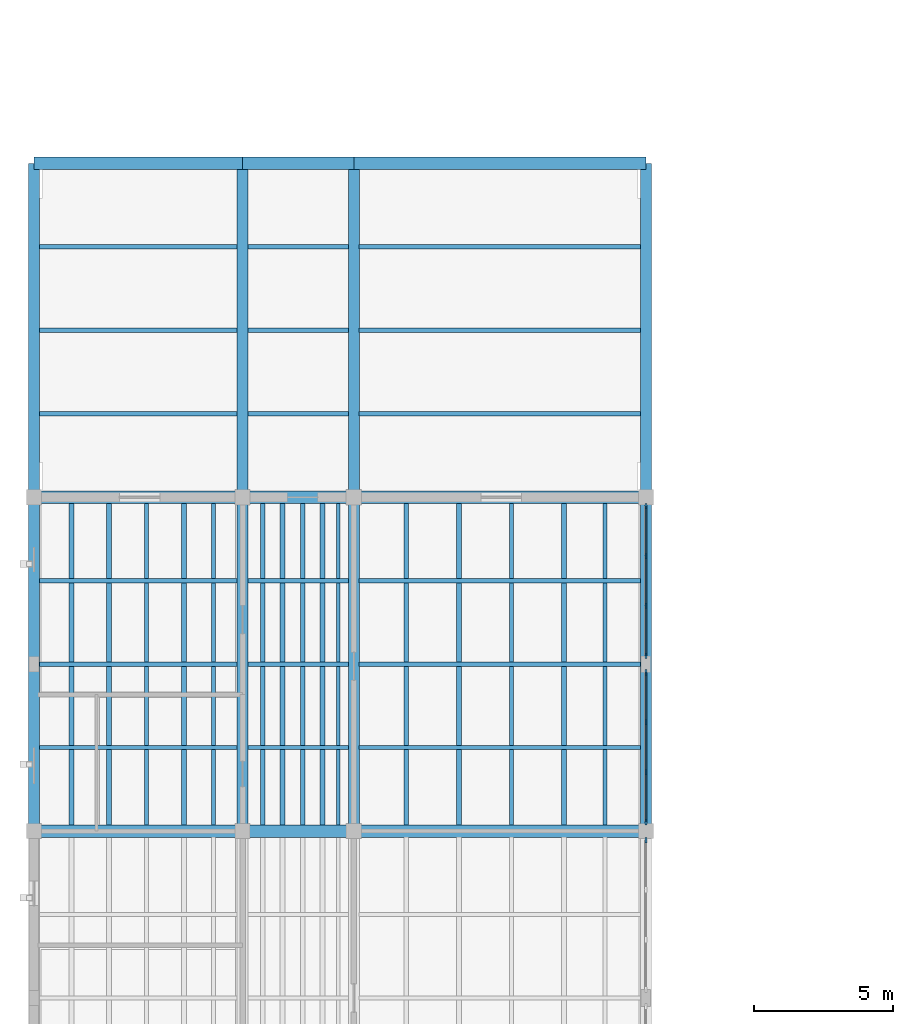
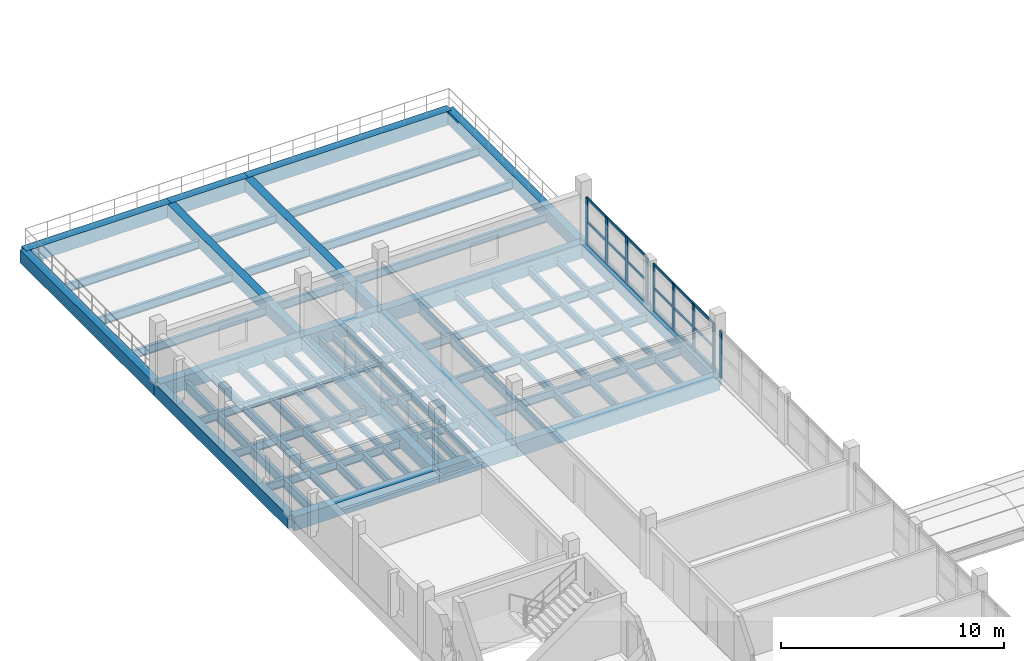
# One storey, part 6 of 48: 50 beams, 15 members, 3 elements without a shape of their own.
"""IFC4 building model written with IfcOpenShell, lengths in metres."""

from ifc_helpers import new_model, si_unit, direction, frame, origin, origin_2d, place, context, subcontext, project, spatial, rectangle, i_section, extrude, material, layer, layer_set, material_profile, profile_set, type_object, element, aggregate, save


model = new_model("IFC4")

# Units and contexts
model_context = context("Model", 3, precision=1e-05, world=origin(), true_north=direction((0.0, 1.0)))
body_context = subcontext(model_context, "Body", "Model", "MODEL_VIEW")
ifc_project = project(units=[si_unit("LENGTHUNIT", "METRE"), si_unit("AREAUNIT", "SQUARE_METRE"), si_unit("VOLUMEUNIT", "CUBIC_METRE"), si_unit("PLANEANGLEUNIT", "RADIAN"), si_unit("MASSUNIT", "GRAM", prefix="KILO")], contexts=[model_context])

# Site, building, storey
site_placement = place(None, origin())
site = spatial("IfcSite", under=ifc_project, at=site_placement, CompositionType="ELEMENT")
building_placement = place(site_placement, origin())
building = spatial("IfcBuilding", under=site, at=building_placement, Name="Trellovar Central Fire Station", CompositionType="ELEMENT")
storey_placement = place(building_placement, frame((0.0, 0.0, 9.300048828125)))
storey = spatial("IfcBuildingStorey", under=building, at=storey_placement, Name="L03", CompositionType="ELEMENT", Elevation=9.300048828125)

# Beams
ifc_material_1 = material(Name="Concrete C40/50", Category="concrete")
ifc_material_profile_1 = material_profile(ifc_material_1, rectangle(XDim=0.449951171875, YDim=0.75, at=origin_2d()), Name="RC450X750")
ifc_profile_set_1 = profile_set([ifc_material_profile_1], Name="Concrete C40/50")
beam_type_1 = type_object("IfcBeamType", Name="BM-G2", PredefinedType="BEAM", material=ifc_profile_set_1)
beam_1_placement = place(storey_placement, frame((1.0, 41.0, -0.375), z_axis=(1.0, 0.0, 0.0), x_axis=(0.0, 1.0, 0.0)))
element("IfcBeam", 1, at=beam_1_placement, inside=storey, type_object=beam_type_1, Name="L03 beam G-2", PredefinedType="BEAM", context=body_context, shape_type="SweptSolid", body=[
    extrude(rectangle(XDim=0.449951171875, YDim=0.75, at=origin_2d()), origin(), (0.0, 0.0, 1.0), 7.5),
])
beam_2_placement = place(storey_placement, frame((8.5, 41.0, -0.375), z_axis=(1.0, 0.0, 0.0), x_axis=(0.0, 1.0, 0.0)))
element("IfcBeam", 2, at=beam_2_placement, inside=storey, type_object=beam_type_1, Name="L03 beam G-2", PredefinedType="BEAM", context=body_context, shape_type="SweptSolid", body=[
    extrude(rectangle(XDim=0.449951171875, YDim=0.75, at=origin_2d()), origin(), (0.0, 0.0, 1.0), 4.0),
])
beam_3_placement = place(storey_placement, frame((12.5, 41.0, -0.375), z_axis=(1.0, 0.0, 0.0), x_axis=(0.0, 1.0, 0.0)))
element("IfcBeam", 3, at=beam_3_placement, inside=storey, type_object=beam_type_1, Name="L03 beam G-2", PredefinedType="BEAM", context=body_context, shape_type="SweptSolid", body=[
    extrude(rectangle(XDim=0.449951171875, YDim=0.75, at=origin_2d()), origin(), (0.0, 0.0, 1.0), 10.5),
])
beam_4_placement = place(storey_placement, frame((1.0, 53.0, -0.375), z_axis=(1.0, 0.0, 0.0), x_axis=(0.0, 1.0, 0.0)))
element("IfcBeam", 4, at=beam_4_placement, inside=storey, type_object=beam_type_1, Name="L03 beam G-2", PredefinedType="BEAM", context=body_context, shape_type="SweptSolid", body=[
    extrude(rectangle(XDim=0.449951171875, YDim=0.75, at=origin_2d()), origin(), (0.0, 0.0, 1.0), 7.5),
])
beam_5_placement = place(storey_placement, frame((8.5, 53.0, -0.375), z_axis=(1.0, 0.0, 0.0), x_axis=(0.0, 1.0, 0.0)))
element("IfcBeam", 5, at=beam_5_placement, inside=storey, type_object=beam_type_1, Name="L03 beam G-2", PredefinedType="BEAM", context=body_context, shape_type="SweptSolid", body=[
    extrude(rectangle(XDim=0.449951171875, YDim=0.75, at=origin_2d()), origin(), (0.0, 0.0, 1.0), 4.0),
])
beam_6_placement = place(storey_placement, frame((12.5, 53.0, -0.375), z_axis=(1.0, 0.0, 0.0), x_axis=(0.0, 1.0, 0.0)))
element("IfcBeam", 6, at=beam_6_placement, inside=storey, type_object=beam_type_1, Name="L03 beam G-2", PredefinedType="BEAM", context=body_context, shape_type="SweptSolid", body=[
    extrude(rectangle(XDim=0.449951171875, YDim=0.75, at=origin_2d()), origin(), (0.0, 0.0, 1.0), 10.5),
])
beam_7_placement = place(storey_placement, frame((1.0, 65.0, -0.375), z_axis=(1.0, 0.0, 0.0), x_axis=(0.0, 1.0, 0.0)))
element("IfcBeam", 7, at=beam_7_placement, inside=storey, type_object=beam_type_1, Name="L03 beam G-2", PredefinedType="BEAM", context=body_context, shape_type="SweptSolid", body=[
    extrude(rectangle(XDim=0.449951171875, YDim=0.75, at=origin_2d()), origin(), (0.0, 0.0, 1.0), 7.5),
])
beam_8_placement = place(storey_placement, frame((8.5, 65.0, -0.375), z_axis=(1.0, 0.0, 0.0), x_axis=(0.0, 1.0, 0.0)))
element("IfcBeam", 8, at=beam_8_placement, inside=storey, type_object=beam_type_1, Name="L03 beam G-2", PredefinedType="BEAM", context=body_context, shape_type="SweptSolid", body=[
    extrude(rectangle(XDim=0.449951171875, YDim=0.75, at=origin_2d()), origin(), (0.0, 0.0, 1.0), 4.0),
])
beam_9_placement = place(storey_placement, frame((12.5, 65.0, -0.375), z_axis=(1.0, 0.0, 0.0), x_axis=(0.0, 1.0, 0.0)))
element("IfcBeam", 9, at=beam_9_placement, inside=storey, type_object=beam_type_1, Name="L03 beam G-2", PredefinedType="BEAM", context=body_context, shape_type="SweptSolid", body=[
    extrude(rectangle(XDim=0.449951171875, YDim=0.75, at=origin_2d()), origin(), (0.0, 0.0, 1.0), 10.5),
])
ifc_material_2 = material(Name="Concrete C40/50", Category="concrete")
ifc_material_profile_2 = material_profile(ifc_material_2, rectangle(XDim=0.39990234375, YDim=0.699951171875, at=origin_2d()), Name="RC400X700")
ifc_profile_set_2 = profile_set([ifc_material_profile_2], Name="Concrete C40/50")
beam_type_2 = type_object("IfcBeamType", Name="BM-G3", PredefinedType="BEAM", material=ifc_profile_set_2)
for number, where, z_axis, x_axis, name in (
    (10, (1.0, 41.0, -0.35009765625), (0.0, 1.0, 0.0), (-1.0, 0.0, 0.0), "L03 beam G-3"),
    (11, (1.0, 53.0, -0.35009765625), (0.0, 1.0, 0.0), (-1.0, 0.0, 0.0), "L03 beam G-3"),
    (12, (8.5, 41.0, -0.35009765625), (0.0, 1.0, 0.0), (-1.0, 0.0, 0.0), "L03 beam G-3"),
    (13, (8.5, 53.0, -0.35009765625), (0.0, 1.0, 0.0), (-1.0, 0.0, 0.0), "L03 beam G-3"),
    (14, (12.5, 41.0, -0.35009765625), (0.0, 1.0, 0.0), (-1.0, 0.0, 0.0), "L03 beam G-3"),
    (15, (12.5, 53.0, -0.35009765625), (0.0, 1.0, 0.0), (-1.0, 0.0, 0.0), "L03 beam G-3"),
    (16, (23.0, 41.0, -0.35009765625), (0.0, 1.0, 0.0), (-1.0, 0.0, 0.0), "L03 beam G-3"),
    (17, (23.0, 53.0, -0.35009765625), (0.0, 1.0, 0.0), (-1.0, 0.0, 0.0), "L03 beam G-3"),
):
    element("IfcBeam", number, at=place(storey_placement, frame(where, z_axis=z_axis, x_axis=x_axis)), inside=storey, type_object=beam_type_2, Name=name, PredefinedType="BEAM", context=body_context, shape_type="SweptSolid", body=[
        extrude(rectangle(XDim=0.39990234375, YDim=0.699951171875, at=origin_2d()), origin(), (0.0, 0.0, 1.0), 12.0),
    ])
ifc_material_3 = material(Name="Steel ASTM A992 Grade 50", Category="steel")
ifc_material_profile_3 = material_profile(ifc_material_3, i_section(OverallWidth=0.15283203125, OverallDepth=0.45458984375, WebThickness=0.008056640625, FlangeThickness=0.01318359375, FilletRadius=0.0126953125, at=origin_2d()), Name="W18X40")
ifc_profile_set_3 = profile_set([ifc_material_profile_3], Name="Steel ASTM A992 Grade 50")
beam_type_3 = type_object("IfcBeamType", Name="BM-SW10", PredefinedType="JOIST", material=ifc_profile_set_3)
for number, where, z_axis, x_axis, name in (
    (18, (1.195068359375, 44.0, -0.477294921875), (1.0, 0.0, 0.0), (0.0, 1.0, 0.0), "L03 beam SB-10"),
    (19, (1.195068359375, 47.0, -0.477294921875), (1.0, 0.0, 0.0), (0.0, 1.0, 0.0), "L03 beam SB-10"),
    (20, (1.195068359375, 50.0, -0.477294921875), (1.0, 0.0, 0.0), (0.0, 1.0, 0.0), "L03 beam SB-10"),
    (21, (1.195068359375, 56.0, -0.477294921875), (1.0, 0.0, 0.0), (0.0, 1.0, 0.0), "L03 beam SB-10"),
    (22, (1.195068359375, 59.0, -0.477294921875), (1.0, 0.0, 0.0), (0.0, 1.0, 0.0), "L03 beam SB-10"),
    (23, (1.195068359375, 62.0, -0.477294921875), (1.0, 0.0, 0.0), (0.0, 1.0, 0.0), "L03 beam SB-10"),
):
    element("IfcBeam", number, at=place(storey_placement, frame(where, z_axis=z_axis, x_axis=x_axis)), inside=storey, type_object=beam_type_3, Name=name, PredefinedType="JOIST", context=body_context, shape_type="SweptSolid", body=[
        extrude(i_section(OverallWidth=0.15283203125, OverallDepth=0.45458984375, WebThickness=0.008056640625, FlangeThickness=0.01318359375, FilletRadius=0.0126953125, at=origin_2d()), origin(), (0.0, 0.0, 1.0), 7.10986328125),
    ])
for number, where, z_axis, x_axis, name in (
    (24, (8.695068359375, 44.0, -0.477294921875), (1.0, 0.0, 0.0), (0.0, 1.0, 0.0), "L03 beam SB-10"),
    (25, (8.695068359375, 47.0, -0.477294921875), (1.0, 0.0, 0.0), (0.0, 1.0, 0.0), "L03 beam SB-10"),
    (26, (8.695068359375, 50.0, -0.477294921875), (1.0, 0.0, 0.0), (0.0, 1.0, 0.0), "L03 beam SB-10"),
    (27, (8.695068359375, 56.0, -0.477294921875), (1.0, 0.0, 0.0), (0.0, 1.0, 0.0), "L03 beam SB-10"),
    (28, (8.695068359375, 59.0, -0.477294921875), (1.0, 0.0, 0.0), (0.0, 1.0, 0.0), "L03 beam SB-10"),
    (29, (8.695068359375, 62.0, -0.477294921875), (1.0, 0.0, 0.0), (0.0, 1.0, 0.0), "L03 beam SB-10"),
):
    element("IfcBeam", number, at=place(storey_placement, frame(where, z_axis=z_axis, x_axis=x_axis)), inside=storey, type_object=beam_type_3, Name=name, PredefinedType="JOIST", context=body_context, shape_type="SweptSolid", body=[
        extrude(i_section(OverallWidth=0.15283203125, OverallDepth=0.45458984375, WebThickness=0.008056640625, FlangeThickness=0.01318359375, FilletRadius=0.0126953125, at=origin_2d()), origin(), (0.0, 0.0, 1.0), 3.60986328125),
    ])
for number, where, z_axis, x_axis, name in (
    (30, (12.695068359375, 44.0, -0.477294921875), (1.0, 0.0, 0.0), (0.0, 1.0, 0.0), "L03 beam SB-10"),
    (31, (12.695068359375, 47.0, -0.477294921875), (1.0, 0.0, 0.0), (0.0, 1.0, 0.0), "L03 beam SB-10"),
    (32, (12.695068359375, 50.0, -0.477294921875), (1.0, 0.0, 0.0), (0.0, 1.0, 0.0), "L03 beam SB-10"),
    (33, (12.695068359375, 56.0, -0.477294921875), (1.0, 0.0, 0.0), (0.0, 1.0, 0.0), "L03 beam SB-10"),
    (34, (12.695068359375, 59.0, -0.477294921875), (1.0, 0.0, 0.0), (0.0, 1.0, 0.0), "L03 beam SB-10"),
    (35, (12.695068359375, 62.0, -0.477294921875), (1.0, 0.0, 0.0), (0.0, 1.0, 0.0), "L03 beam SB-10"),
):
    element("IfcBeam", number, at=place(storey_placement, frame(where, z_axis=z_axis, x_axis=x_axis)), inside=storey, type_object=beam_type_3, Name=name, PredefinedType="JOIST", context=body_context, shape_type="SweptSolid", body=[
        extrude(i_section(OverallWidth=0.15283203125, OverallDepth=0.45458984375, WebThickness=0.008056640625, FlangeThickness=0.01318359375, FilletRadius=0.0126953125, at=origin_2d()), origin(), (0.0, 0.0, 1.0), 10.10986328125),
    ])
for number, where, z_axis, x_axis, name in (
    (36, (5.050048828125, 41.219970703125, -0.477294921875), (0.0, 1.0, 0.0), (-1.0, 0.0, 0.0), "L03 secondary steel deck joist"),
    (37, (10.659912109375, 41.219970703125, -0.477294921875), (0.0, 1.0, 0.0), (-1.0, 0.0, 0.0), "L03 secondary steel deck joist"),
    (38, (18.169921875, 41.219970703125, -0.477294921875), (0.0, 1.0, 0.0), (-1.0, 0.0, 0.0), "L03 secondary steel deck joist"),
):
    element("IfcBeam", number, at=place(storey_placement, frame(where, z_axis=z_axis, x_axis=x_axis)), inside=storey, type_object=beam_type_3, Name=name, PredefinedType="JOIST", context=body_context, shape_type="SweptSolid", body=[
        extrude(i_section(OverallWidth=0.15283203125, OverallDepth=0.45458984375, WebThickness=0.008056640625, FlangeThickness=0.01318359375, FilletRadius=0.0126953125, at=origin_2d()), origin(), (0.0, 0.0, 1.0), 11.56005859375),
    ])
ifc_material_4 = material(Name="Steel ASTM A992 Grade 50", Category="steel")
ifc_material_profile_4 = material_profile(ifc_material_4, i_section(OverallWidth=0.177490234375, OverallDepth=0.40380859375, WebThickness=0.007568359375, FlangeThickness=0.010986328125, FilletRadius=0.011474609375, at=origin_2d()), Name="W16X36")
ifc_profile_set_4 = profile_set([ifc_material_profile_4], Name="Steel ASTM A992 Grade 50")
beam_type_4 = type_object("IfcBeamType", Name="BM-SW11", PredefinedType="JOIST", material=ifc_profile_set_4)
for number, where, z_axis, x_axis, name in (
    (39, (6.39990234375, 41.219970703125, -0.451904296875), (0.0, 1.0, 0.0), (-1.0, 0.0, 0.0), "L03 secondary steel deck joist"),
    (40, (11.3798828125, 41.219970703125, -0.451904296875), (0.0, 1.0, 0.0), (-1.0, 0.0, 0.0), "L03 secondary steel deck joist"),
    (41, (20.06005859375, 41.219970703125, -0.451904296875), (0.0, 1.0, 0.0), (-1.0, 0.0, 0.0), "L03 secondary steel deck joist"),
):
    element("IfcBeam", number, at=place(storey_placement, frame(where, z_axis=z_axis, x_axis=x_axis)), inside=storey, type_object=beam_type_4, Name=name, PredefinedType="JOIST", context=body_context, shape_type="SweptSolid", body=[
        extrude(i_section(OverallWidth=0.177490234375, OverallDepth=0.40380859375, WebThickness=0.007568359375, FlangeThickness=0.010986328125, FilletRadius=0.011474609375, at=origin_2d()), origin(), (0.0, 0.0, 1.0), 11.56005859375),
    ])
ifc_material_5 = material(Name="Steel ASTM A992 Grade 50", Category="steel")
ifc_material_profile_5 = material_profile(ifc_material_5, i_section(OverallWidth=0.140380859375, OverallDepth=0.4033203125, WebThickness=0.007080078125, FlangeThickness=0.01123046875, FilletRadius=0.011474609375, at=origin_2d()), Name="W16X31")
ifc_profile_set_5 = profile_set([ifc_material_profile_5], Name="Steel ASTM A992 Grade 50")
beam_type_5 = type_object("IfcBeamType", Name="BM-SW12", PredefinedType="JOIST", material=ifc_profile_set_5)
for number, where, z_axis, x_axis, name in (
    (42, (7.449951171875, 41.219970703125, -0.45166015625), (0.0, 1.0, 0.0), (-1.0, 0.0, 0.0), "L03 secondary steel deck joist"),
    (43, (11.93994140625, 41.219970703125, -0.45166015625), (0.0, 1.0, 0.0), (-1.0, 0.0, 0.0), "L03 secondary steel deck joist"),
    (44, (21.530029296875, 41.219970703125, -0.45166015625), (0.0, 1.0, 0.0), (-1.0, 0.0, 0.0), "L03 secondary steel deck joist"),
):
    element("IfcBeam", number, at=place(storey_placement, frame(where, z_axis=z_axis, x_axis=x_axis)), inside=storey, type_object=beam_type_5, Name=name, PredefinedType="JOIST", context=body_context, shape_type="SweptSolid", body=[
        extrude(i_section(OverallWidth=0.140380859375, OverallDepth=0.4033203125, WebThickness=0.007080078125, FlangeThickness=0.01123046875, FilletRadius=0.011474609375, at=origin_2d()), origin(), (0.0, 0.0, 1.0), 11.56005859375),
    ])
ifc_material_6 = material(Name="Steel ASTM A992 Grade 50", Category="steel")
ifc_material_profile_6 = material_profile(ifc_material_6, i_section(OverallWidth=0.166015625, OverallDepth=0.529052734375, WebThickness=0.009765625, FlangeThickness=0.013671875, FilletRadius=0.013916015625, at=origin_2d()), Name="W21X50")
ifc_profile_set_6 = profile_set([ifc_material_profile_6], Name="Steel ASTM A992 Grade 50")
beam_type_6 = type_object("IfcBeamType", Name="BM-SW8", PredefinedType="JOIST", material=ifc_profile_set_6)
for number, where, z_axis, x_axis, name in (
    (45, (2.35009765625, 41.219970703125, -0.5146484375), (0.0, 1.0, 0.0), (-1.0, 0.0, 0.0), "L03 secondary steel deck joist"),
    (46, (9.219970703125, 41.219970703125, -0.5146484375), (0.0, 1.0, 0.0), (-1.0, 0.0, 0.0), "L03 secondary steel deck joist"),
    (47, (14.389892578125, 41.219970703125, -0.5146484375), (0.0, 1.0, 0.0), (-1.0, 0.0, 0.0), "L03 secondary steel deck joist"),
):
    element("IfcBeam", number, at=place(storey_placement, frame(where, z_axis=z_axis, x_axis=x_axis)), inside=storey, type_object=beam_type_6, Name=name, PredefinedType="JOIST", context=body_context, shape_type="SweptSolid", body=[
        extrude(i_section(OverallWidth=0.166015625, OverallDepth=0.529052734375, WebThickness=0.009765625, FlangeThickness=0.013671875, FilletRadius=0.013916015625, at=origin_2d()), origin(), (0.0, 0.0, 1.0), 11.56005859375),
    ])
ifc_material_7 = material(Name="Steel ASTM A992 Grade 50", Category="steel")
ifc_material_profile_7 = material_profile(ifc_material_7, i_section(OverallWidth=0.1904296875, OverallDepth=0.457275390625, WebThickness=0.009033203125, FlangeThickness=0.014404296875, FilletRadius=0.0126953125, at=origin_2d()), Name="W18X50")
ifc_profile_set_7 = profile_set([ifc_material_profile_7], Name="Steel ASTM A992 Grade 50")
beam_type_7 = type_object("IfcBeamType", Name="BM-SW9", PredefinedType="JOIST", material=ifc_profile_set_7)
for number, where, z_axis, x_axis, name in (
    (48, (3.699951171875, 41.219970703125, -0.478759765625), (0.0, 1.0, 0.0), (-1.0, 0.0, 0.0), "L03 secondary steel deck joist"),
    (49, (9.93994140625, 41.219970703125, -0.478759765625), (0.0, 1.0, 0.0), (-1.0, 0.0, 0.0), "L03 secondary steel deck joist"),
    (50, (16.280029296875, 41.219970703125, -0.478759765625), (0.0, 1.0, 0.0), (-1.0, 0.0, 0.0), "L03 secondary steel deck joist"),
):
    element("IfcBeam", number, at=place(storey_placement, frame(where, z_axis=z_axis, x_axis=x_axis)), inside=storey, type_object=beam_type_7, Name=name, PredefinedType="JOIST", context=body_context, shape_type="SweptSolid", body=[
        extrude(i_section(OverallWidth=0.1904296875, OverallDepth=0.457275390625, WebThickness=0.009033203125, FlangeThickness=0.014404296875, FilletRadius=0.0126953125, at=origin_2d()), origin(), (0.0, 0.0, 1.0), 11.56005859375),
    ])

# Curtain wall, member
ifc_material_8 = material(Name="Thermally broken bronze anodized aluminum", Category="aluminium")
ifc_layer = layer(ifc_material_8, 0.159912109375)
ifc_layer_set = layer_set([ifc_layer], Name="Thermally broken bronze anodized aluminum")
curtain_wall_type = type_object("IfcCurtainWallType", Name="CW-02", PredefinedType="NOTDEFINED", material=ifc_layer_set)
curtain_wall_1_placement = place(storey_placement, origin())
curtain_wall_1 = element("IfcCurtainWall", 51, at=curtain_wall_1_placement, inside=storey, type_object=curtain_wall_type, Name="L03 curtain wall CW-2", PredefinedType="NOTDEFINED")
ifc_material_9 = material(Name="Thermally broken bronze anodized aluminum", Category="aluminium")
ifc_material_profile_8 = material_profile(ifc_material_9, rectangle(XDim=0.074951171875, YDim=0.199951171875, at=origin_2d()), Name="ALU75X200")
ifc_profile_set_8 = profile_set([ifc_material_profile_8], Name="Thermally broken bronze anodized aluminum")
member_type_1 = type_object("IfcMemberType", Name="CWM-1", PredefinedType="MULLION", material=ifc_profile_set_8)
member_1_placement = place(storey_placement, frame((23.0, 40.675048828125, 0.0), z_axis=(0.0, 0.0, 1.0), x_axis=(1.0, 0.0, 0.0)))
member_1 = element("IfcMember", 52, at=member_1_placement, type_object=member_type_1, Name="CW3-L03-0050 mullion 4", PredefinedType="MULLION", context=body_context, shape_type="SweptSolid", body=[
    extrude(rectangle(XDim=0.074951171875, YDim=0.199951171875, at=origin_2d()), origin(), (0.0, 0.0, 1.0), 2.550048828125),
])
aggregate(curtain_wall_1, [member_1])

# Curtain wall, members
curtain_wall_2_placement = place(storey_placement, origin())
curtain_wall_2 = element("IfcCurtainWall", 53, at=curtain_wall_2_placement, inside=storey, type_object=curtain_wall_type, Name="L03 curtain wall CW-2", PredefinedType="NOTDEFINED")
member_2_placement = place(storey_placement, frame((23.0, 41.324951171875, 0.0), z_axis=(0.0, 0.0, 1.0), x_axis=(1.0, 0.0, 0.0)))
member_2 = element("IfcMember", 54, at=member_2_placement, type_object=member_type_1, Name="CW3-L03-0051 mullion 1", PredefinedType="MULLION", context=body_context, shape_type="SweptSolid", body=[
    extrude(rectangle(XDim=0.074951171875, YDim=0.199951171875, at=origin_2d()), origin(), (0.0, 0.0, 1.0), 2.550048828125),
])
member_3_placement = place(storey_placement, frame((23.0, 43.11669921875, 0.0), z_axis=(0.0, 0.0, 1.0), x_axis=(1.0, 0.0, 0.0)))
member_3 = element("IfcMember", 55, at=member_3_placement, type_object=member_type_1, Name="CW3-L03-0051 mullion 2", PredefinedType="MULLION", context=body_context, shape_type="SweptSolid", body=[
    extrude(rectangle(XDim=0.074951171875, YDim=0.199951171875, at=origin_2d()), origin(), (0.0, 0.0, 1.0), 2.550048828125),
])
member_4_placement = place(storey_placement, frame((23.0, 44.908203125, 0.0), z_axis=(0.0, 0.0, 1.0), x_axis=(1.0, 0.0, 0.0)))
member_4 = element("IfcMember", 56, at=member_4_placement, type_object=member_type_1, Name="CW3-L03-0051 mullion 3", PredefinedType="MULLION", context=body_context, shape_type="SweptSolid", body=[
    extrude(rectangle(XDim=0.074951171875, YDim=0.199951171875, at=origin_2d()), origin(), (0.0, 0.0, 1.0), 2.550048828125),
])
member_5_placement = place(storey_placement, frame((23.0, 46.699951171875, 0.0), z_axis=(0.0, 0.0, 1.0), x_axis=(1.0, 0.0, 0.0)))
member_5 = element("IfcMember", 57, at=member_5_placement, type_object=member_type_1, Name="CW3-L03-0051 mullion 4", PredefinedType="MULLION", context=body_context, shape_type="SweptSolid", body=[
    extrude(rectangle(XDim=0.074951171875, YDim=0.199951171875, at=origin_2d()), origin(), (0.0, 0.0, 1.0), 2.550048828125),
])

curtain_wall_3_placement = place(storey_placement, origin())
curtain_wall_3 = element("IfcCurtainWall", 58, at=curtain_wall_3_placement, inside=storey, type_object=curtain_wall_type, Name="L03 curtain wall CW-2", PredefinedType="NOTDEFINED")
member_6_placement = place(storey_placement, frame((23.0, 47.300048828125, 0.0), z_axis=(0.0, 0.0, 1.0), x_axis=(1.0, 0.0, 0.0)))
member_6 = element("IfcMember", 59, at=member_6_placement, type_object=member_type_1, Name="CW3-L03-0052 mullion 1", PredefinedType="MULLION", context=body_context, shape_type="SweptSolid", body=[
    extrude(rectangle(XDim=0.074951171875, YDim=0.199951171875, at=origin_2d()), origin(), (0.0, 0.0, 1.0), 2.550048828125),
])
member_7_placement = place(storey_placement, frame((23.0, 49.091796875, 0.0), z_axis=(0.0, 0.0, 1.0), x_axis=(1.0, 0.0, 0.0)))
member_7 = element("IfcMember", 60, at=member_7_placement, type_object=member_type_1, Name="CW3-L03-0052 mullion 2", PredefinedType="MULLION", context=body_context, shape_type="SweptSolid", body=[
    extrude(rectangle(XDim=0.074951171875, YDim=0.199951171875, at=origin_2d()), origin(), (0.0, 0.0, 1.0), 2.550048828125),
])
member_8_placement = place(storey_placement, frame((23.0, 50.88330078125, 0.0), z_axis=(0.0, 0.0, 1.0), x_axis=(1.0, 0.0, 0.0)))
member_8 = element("IfcMember", 61, at=member_8_placement, type_object=member_type_1, Name="CW3-L03-0052 mullion 3", PredefinedType="MULLION", context=body_context, shape_type="SweptSolid", body=[
    extrude(rectangle(XDim=0.074951171875, YDim=0.199951171875, at=origin_2d()), origin(), (0.0, 0.0, 1.0), 2.550048828125),
])
member_9_placement = place(storey_placement, frame((23.0, 52.675048828125, 0.0), z_axis=(0.0, 0.0, 1.0), x_axis=(1.0, 0.0, 0.0)))
member_9 = element("IfcMember", 62, at=member_9_placement, type_object=member_type_1, Name="CW3-L03-0052 mullion 4", PredefinedType="MULLION", context=body_context, shape_type="SweptSolid", body=[
    extrude(rectangle(XDim=0.074951171875, YDim=0.199951171875, at=origin_2d()), origin(), (0.0, 0.0, 1.0), 2.550048828125),
])

# Member
ifc_material_10 = material(Name="Thermally broken bronze anodized aluminum", Category="aluminium")
ifc_material_profile_9 = material_profile(ifc_material_10, rectangle(XDim=0.06005859375, YDim=0.139892578125, at=origin_2d()), Name="ALU60X140")
ifc_profile_set_9 = profile_set([ifc_material_profile_9], Name="Thermally broken bronze anodized aluminum")
member_type_2 = type_object("IfcMemberType", Name="CWT-1", PredefinedType="USERDEFINED", material=ifc_profile_set_9)
member_10_placement = place(storey_placement, frame((23.0, 41.324951171875, 0.0), z_axis=(0.0, 1.0, 0.0), x_axis=(-1.0, 0.0, 0.0)))
member_10 = element("IfcMember", 63, at=member_10_placement, type_object=member_type_2, Name="CW3-L03-0051 transom 1", ObjectType="TRANSOM", PredefinedType="USERDEFINED", context=body_context, shape_type="SweptSolid", body=[
    extrude(rectangle(XDim=0.06005859375, YDim=0.139892578125, at=origin_2d()), origin(), (0.0, 0.0, 1.0), 5.375),
])

member_11_placement = place(storey_placement, frame((23.0, 41.324951171875, 1.27490234375), z_axis=(0.0, 1.0, 0.0), x_axis=(-1.0, 0.0, 0.0)))
member_11 = element("IfcMember", 64, at=member_11_placement, type_object=member_type_2, Name="CW3-L03-0051 transom 2", ObjectType="TRANSOM", PredefinedType="USERDEFINED", context=body_context, shape_type="SweptSolid", body=[
    extrude(rectangle(XDim=0.06005859375, YDim=0.139892578125, at=origin_2d()), origin(), (0.0, 0.0, 1.0), 5.375),
])

member_12_placement = place(storey_placement, frame((23.0, 41.324951171875, 2.550048828125), z_axis=(0.0, 1.0, 0.0), x_axis=(-1.0, 0.0, 0.0)))
member_12 = element("IfcMember", 65, at=member_12_placement, type_object=member_type_2, Name="CW3-L03-0051 transom 3", ObjectType="TRANSOM", PredefinedType="USERDEFINED", context=body_context, shape_type="SweptSolid", body=[
    extrude(rectangle(XDim=0.06005859375, YDim=0.139892578125, at=origin_2d()), origin(), (0.0, 0.0, 1.0), 5.375),
])

aggregate(curtain_wall_2, [member_2, member_3, member_4, member_5, member_10, member_11, member_12])

member_13_placement = place(storey_placement, frame((23.0, 47.300048828125, 0.0), z_axis=(0.0, 1.0, 0.0), x_axis=(-1.0, 0.0, 0.0)))
member_13 = element("IfcMember", 66, at=member_13_placement, type_object=member_type_2, Name="CW3-L03-0052 transom 1", ObjectType="TRANSOM", PredefinedType="USERDEFINED", context=body_context, shape_type="SweptSolid", body=[
    extrude(rectangle(XDim=0.06005859375, YDim=0.139892578125, at=origin_2d()), origin(), (0.0, 0.0, 1.0), 5.375),
])

member_14_placement = place(storey_placement, frame((23.0, 47.300048828125, 1.27490234375), z_axis=(0.0, 1.0, 0.0), x_axis=(-1.0, 0.0, 0.0)))
member_14 = element("IfcMember", 67, at=member_14_placement, type_object=member_type_2, Name="CW3-L03-0052 transom 2", ObjectType="TRANSOM", PredefinedType="USERDEFINED", context=body_context, shape_type="SweptSolid", body=[
    extrude(rectangle(XDim=0.06005859375, YDim=0.139892578125, at=origin_2d()), origin(), (0.0, 0.0, 1.0), 5.375),
])

member_15_placement = place(storey_placement, frame((23.0, 47.300048828125, 2.550048828125), z_axis=(0.0, 1.0, 0.0), x_axis=(-1.0, 0.0, 0.0)))
member_15 = element("IfcMember", 68, at=member_15_placement, type_object=member_type_2, Name="CW3-L03-0052 transom 3", ObjectType="TRANSOM", PredefinedType="USERDEFINED", context=body_context, shape_type="SweptSolid", body=[
    extrude(rectangle(XDim=0.06005859375, YDim=0.139892578125, at=origin_2d()), origin(), (0.0, 0.0, 1.0), 5.375),
])

aggregate(curtain_wall_3, [member_6, member_7, member_8, member_9, member_13, member_14, member_15])

save(model, "model.ifc")
